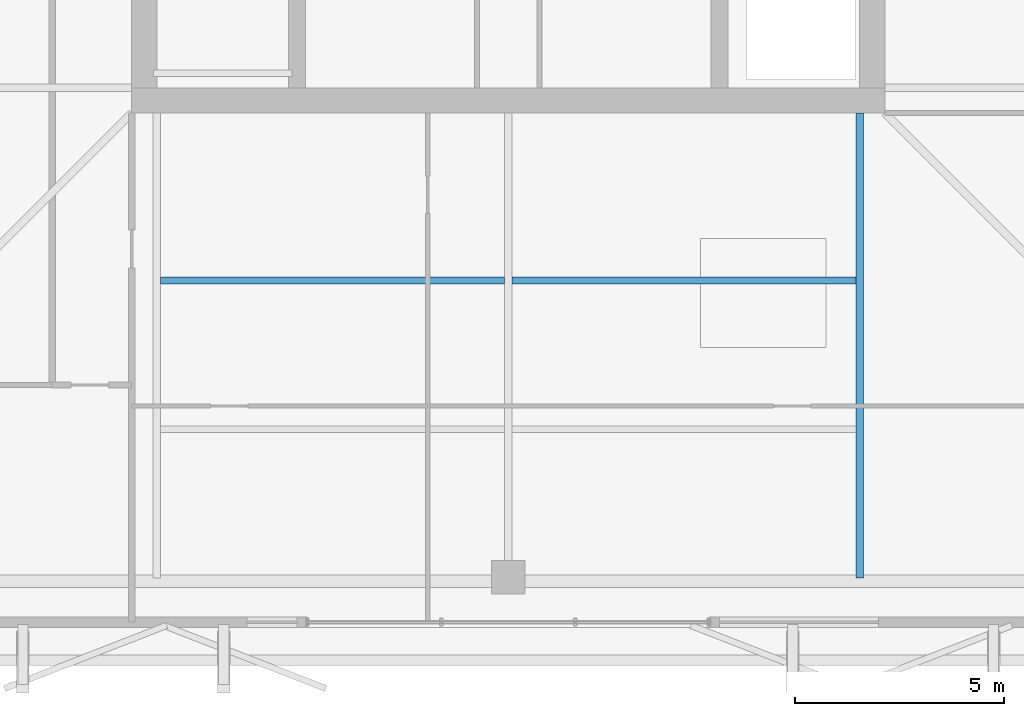
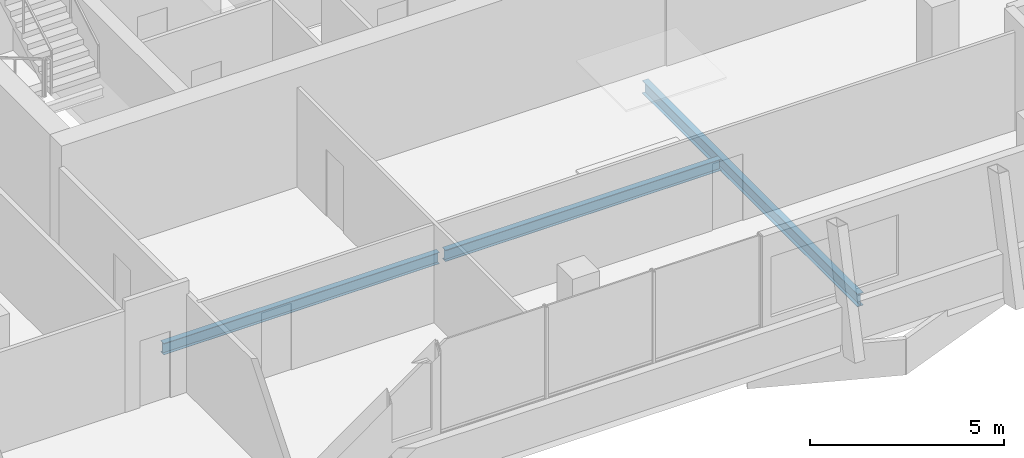
# One storey, part 4 of 18: 3 beams.
"""IFC4 building model written with IfcOpenShell, lengths in metres."""

from ifc_helpers import new_model, si_unit, direction, frame, origin, origin_2d, place, context, subcontext, project, spatial, i_section, extrude, material, material_profile, profile_set, type_object, element, save


model = new_model("IFC4")

# Units and contexts
model_context = context("Model", 3, precision=1e-05, world=origin(), true_north=direction((0.0, 1.0)))
body_context = subcontext(model_context, "Body", "Model", "MODEL_VIEW")
ifc_project = project(units=[si_unit("LENGTHUNIT", "METRE"), si_unit("AREAUNIT", "SQUARE_METRE"), si_unit("VOLUMEUNIT", "CUBIC_METRE"), si_unit("PLANEANGLEUNIT", "RADIAN"), si_unit("MASSUNIT", "GRAM", prefix="KILO")], contexts=[model_context])

# Site, building, storey
site_placement = place(None, origin())
site = spatial("IfcSite", under=ifc_project, at=site_placement, CompositionType="ELEMENT")
building_placement = place(site_placement, origin())
building = spatial("IfcBuilding", under=site, at=building_placement, Name="Belovzor Exchange Tower", CompositionType="ELEMENT")
storey_placement = place(building_placement, frame((0.0, 0.0, 344.25)))
storey = spatial("IfcBuildingStorey", under=building, at=storey_placement, Name="L86", CompositionType="ELEMENT", Elevation=344.25)

# Beams
ifc_material_1 = material(Name="Steel S355", Category="steel")
ifc_material_profile_1 = material_profile(ifc_material_1, i_section(OverallWidth=0.169921875, OverallDepth=0.360107421875, WebThickness=0.008056640625, FlangeThickness=0.0126953125, at=origin_2d()))
ifc_profile_set_1 = profile_set([ifc_material_profile_1], Name="Steel S355")
beam_type_1 = type_object("IfcBeamType", Name="Secondary Infill Floor Joist IPE 360", PredefinedType="BEAM", material=ifc_profile_set_1)
beam_1_placement = place(storey_placement, frame((20.489990234375, 15.797119140625, -0.419921875), z_axis=(1.0, 0.0, 0.0), x_axis=(0.0, 1.0, 0.0)))
element("IfcBeam", 1, at=beam_1_placement, inside=storey, type_object=beam_type_1, Name="FJ-360 Secondary Infill Floor Joist IPE 360", PredefinedType="BEAM", context=body_context, shape_type="SweptSolid", body=[
    extrude(i_section(OverallWidth=0.169921875, OverallDepth=0.360107421875, WebThickness=0.008056640625, FlangeThickness=0.0126953125, at=origin_2d()), origin(), (0.0, 0.0, 1.0), 8.219970703125),
])
beam_2_placement = place(storey_placement, frame((28.889892578125, 15.797119140625, -0.419921875), z_axis=(1.0, 0.0, 0.0), x_axis=(0.0, 1.0, 0.0)))
element("IfcBeam", 2, at=beam_2_placement, inside=storey, type_object=beam_type_1, Name="FJ-360 Secondary Infill Floor Joist IPE 360", PredefinedType="BEAM", context=body_context, shape_type="SweptSolid", body=[
    extrude(i_section(OverallWidth=0.169921875, OverallDepth=0.360107421875, WebThickness=0.008056640625, FlangeThickness=0.0126953125, at=origin_2d()), origin(), (0.0, 0.0, 1.0), 8.22021484375),
])
ifc_material_2 = material(Name="Steel S355", Category="steel")
ifc_material_profile_2 = material_profile(ifc_material_2, i_section(OverallWidth=0.179931640625, OverallDepth=0.39990234375, WebThickness=0.008544921875, FlangeThickness=0.013427734375, at=origin_2d()))
ifc_profile_set_2 = profile_set([ifc_material_profile_2], Name="Steel S355")
beam_type_2 = type_object("IfcBeamType", Name="Zone 5-6 Radial Composite Floor Beam IPE 400", PredefinedType="BEAM", material=ifc_profile_set_2)
beam_3_placement = place(storey_placement, frame((37.199951171875, 19.800048828125, -0.43994140625), z_axis=(0.0, -1.0, 0.0), x_axis=(1.0, 0.0, 0.0)))
element("IfcBeam", 3, at=beam_3_placement, inside=storey, type_object=beam_type_2, Name="FB-400 Zone 5-6 Radial Composite Floor Beam IPE 400", PredefinedType="BEAM", context=body_context, shape_type="SweptSolid", body=[
    extrude(i_section(OverallWidth=0.179931640625, OverallDepth=0.39990234375, WebThickness=0.008544921875, FlangeThickness=0.013427734375, at=origin_2d()), origin(), (0.0, 0.0, 1.0), 11.119140625),
])

save(model, "model.ifc")
